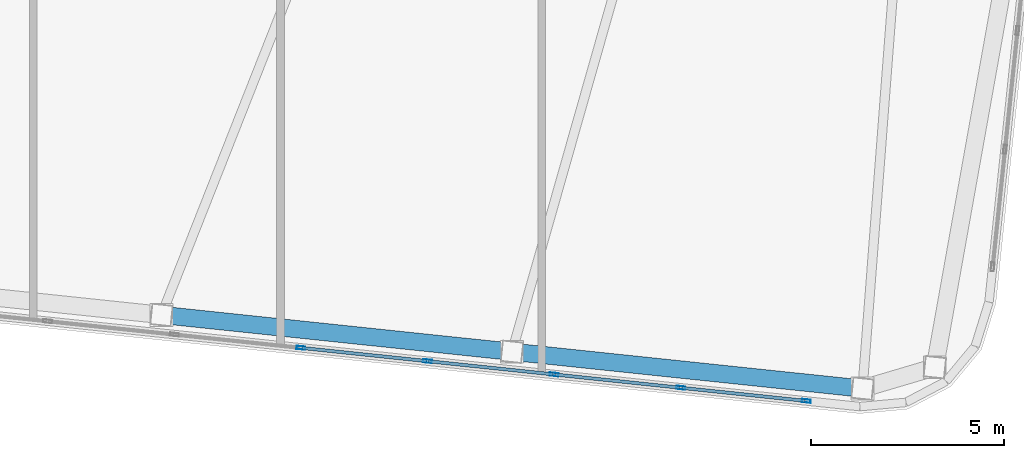
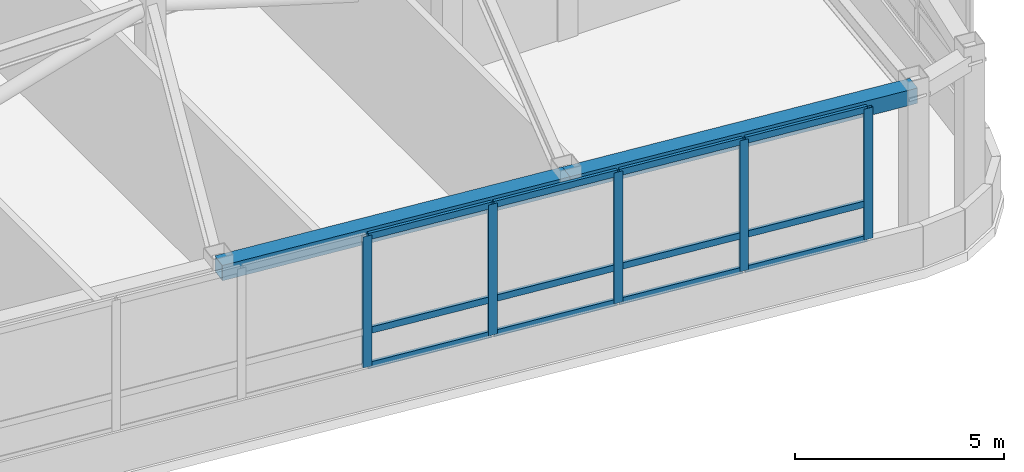
# One storey, part 9 of 23: 17 members, 2 beams, 1 element without a shape of its own.
"""IFC4 building model written with IfcOpenShell, lengths in metres."""

from ifc_helpers import new_model, si_unit, direction, frame, origin, origin_2d, place, context, subcontext, project, spatial, hollow_rectangle, extrude, material, layer, layer_set, material_profile, profile_set, type_object, element, aggregate, save


model = new_model("IFC4")

# Units and contexts
model_context = context("Model", 3, precision=1e-05, world=origin(), true_north=direction((0.0, 1.0)))
body_context = subcontext(model_context, "Body", "Model", "MODEL_VIEW")
ifc_project = project(units=[si_unit("LENGTHUNIT", "METRE"), si_unit("AREAUNIT", "SQUARE_METRE"), si_unit("VOLUMEUNIT", "CUBIC_METRE"), si_unit("PLANEANGLEUNIT", "RADIAN"), si_unit("MASSUNIT", "GRAM", prefix="KILO")], contexts=[model_context])

# Site, building, storey
site_placement = place(None, origin())
site = spatial("IfcSite", under=ifc_project, at=site_placement, CompositionType="ELEMENT")
building_placement = place(site_placement, origin())
building = spatial("IfcBuilding", under=site, at=building_placement, Name="Voryun Gate Residences", CompositionType="ELEMENT")
storey_placement = place(building_placement, frame((0.0, 0.0, 331.89990234375)))
storey = spatial("IfcBuildingStorey", under=building, at=storey_placement, Name="L81", CompositionType="ELEMENT", Elevation=331.89990234375)

# Beams
ifc_material_1 = material(Name="Steel SM355", Category="steel")
ifc_material_profile_1 = material_profile(ifc_material_1, hollow_rectangle(XDim=0.449951171875, YDim=0.449951171875, WallThickness=0.01806640625, at=origin_2d()), Name="BOX-450x450x18")
ifc_profile_set_1 = profile_set([ifc_material_profile_1], Name="Steel SM355")
beam_type = type_object("IfcBeamType", Name="BM_CROWN_RING", PredefinedType="BEAM", material=ifc_profile_set_1)
for number, where, z_axis, x_axis, name in (
    (1, (0.121337890625, -17.731689453125, 4.800048828125), (0.994523919568, -0.104509202498, 0.0), (0.104509202498, 0.994523919568, 0.0), "BM-L81-SPAND-04"),
    (2, (9.19140625, -18.684814453125, 4.800048828125), (0.994521136856, -0.104535679778, 0.0), (0.104535679778, 0.994521136856, 0.0), "BM-L81-SPAND-05"),
):
    element("IfcBeam", number, at=place(storey_placement, frame(where, z_axis=z_axis, x_axis=x_axis)), inside=storey, type_object=beam_type, Name=name, PredefinedType="BEAM", context=body_context, shape_type="SweptSolid", body=[
        extrude(hollow_rectangle(XDim=0.449951171875, YDim=0.449951171875, WallThickness=0.01806640625, at=origin_2d()), origin(), (0.0, 0.0, 1.0), 9.1201171875),
    ])

# Curtain wall, members
ifc_material_2 = material(Name="Anodised aluminium", Category="aluminium")
ifc_layer = layer(ifc_material_2, 0.22998046875, Name="CW_SYS_LANTERN_DARK_GLASS")
ifc_layer_set = layer_set([ifc_layer], Name="Anodised aluminium")
curtain_wall_type = type_object("IfcCurtainWallType", Name="CW_SYS_LANTERN_DARK_GLASS", PredefinedType="NOTDEFINED", material=ifc_layer_set)
curtain_wall_placement = place(storey_placement, origin())
curtain_wall = element("IfcCurtainWall", 3, at=curtain_wall_placement, inside=storey, type_object=curtain_wall_type, Name="Curtain wall CW6-L81-01", PredefinedType="NOTDEFINED")
ifc_material_3 = material(Name="Anodised aluminium", Category="aluminium")
ifc_material_profile_2 = material_profile(ifc_material_3, hollow_rectangle(XDim=0.0849609375, YDim=0.22998046875, WallThickness=0.006103515625, at=origin_2d()), Name="ALU-MULL-230x85x6")
ifc_profile_set_2 = profile_set([ifc_material_profile_2], Name="Anodised aluminium")
member_type_1 = type_object("IfcMemberType", Name="CW_MULL_LANT", PredefinedType="MULLION", material=ifc_profile_set_2)
member_1_placement = place(storey_placement, frame((16.8056640625, -19.957763671875, 1.190185546875), z_axis=(0.0, 0.0, 1.0), x_axis=(-0.10452775858, -0.994521969434, 0.0)))
member_1 = element("IfcMember", 4, at=member_1_placement, type_object=member_type_1, Name="CW6 mullion 1", PredefinedType="MULLION", context=body_context, shape_type="SweptSolid", body=[
    extrude(hollow_rectangle(XDim=0.0849609375, YDim=0.22998046875, WallThickness=0.006103515625, at=origin_2d()), origin(), (0.0, 0.0, 1.0), 3.8349609375),
])
member_2_placement = place(storey_placement, frame((13.558837890625, -19.616455078125, 1.190185546875), z_axis=(0.0, 0.0, 1.0), x_axis=(-0.10452775858, -0.994521969434, 0.0)))
member_2 = element("IfcMember", 5, at=member_2_placement, type_object=member_type_1, Name="CW6 mullion 2", PredefinedType="MULLION", context=body_context, shape_type="SweptSolid", body=[
    extrude(hollow_rectangle(XDim=0.0849609375, YDim=0.22998046875, WallThickness=0.006103515625, at=origin_2d()), origin(), (0.0, 0.0, 1.0), 3.8349609375),
])
member_3_placement = place(storey_placement, frame((10.2822265625, -19.272216796875, 1.190185546875), z_axis=(0.0, 0.0, 1.0), x_axis=(-0.10452775858, -0.994521969434, 0.0)))
member_3 = element("IfcMember", 6, at=member_3_placement, type_object=member_type_1, Name="CW6 mullion 3", PredefinedType="MULLION", context=body_context, shape_type="SweptSolid", body=[
    extrude(hollow_rectangle(XDim=0.0849609375, YDim=0.22998046875, WallThickness=0.006103515625, at=origin_2d()), origin(), (0.0, 0.0, 1.0), 3.8349609375),
])
member_4_placement = place(storey_placement, frame((7.005615234375, -18.927734375, 1.190185546875), z_axis=(0.0, 0.0, 1.0), x_axis=(-0.10452775858, -0.994521969434, 0.0)))
member_4 = element("IfcMember", 7, at=member_4_placement, type_object=member_type_1, Name="CW6 mullion 4", PredefinedType="MULLION", context=body_context, shape_type="SweptSolid", body=[
    extrude(hollow_rectangle(XDim=0.0849609375, YDim=0.22998046875, WallThickness=0.006103515625, at=origin_2d()), origin(), (0.0, 0.0, 1.0), 3.8349609375),
])
member_5_placement = place(storey_placement, frame((3.72900390625, -18.583251953125, 1.190185546875), z_axis=(0.0, 0.0, 1.0), x_axis=(-0.10452775858, -0.994521969434, 0.0)))
member_5 = element("IfcMember", 8, at=member_5_placement, type_object=member_type_1, Name="CW6 mullion 5", PredefinedType="MULLION", context=body_context, shape_type="SweptSolid", body=[
    extrude(hollow_rectangle(XDim=0.0849609375, YDim=0.22998046875, WallThickness=0.006103515625, at=origin_2d()), origin(), (0.0, 0.0, 1.0), 3.8349609375),
])
ifc_material_4 = material(Name="Anodised aluminium", Category="aluminium")
ifc_material_profile_3 = material_profile(ifc_material_4, hollow_rectangle(XDim=0.0849609375, YDim=0.18994140625, WallThickness=0.006103515625, at=origin_2d()), Name="ALU-TRAN-190x85x6")
ifc_profile_set_3 = profile_set([ifc_material_profile_3], Name="Anodised aluminium")
member_type_2 = type_object("IfcMemberType", Name="CW_TRAN_LANT", PredefinedType="USERDEFINED", material=ifc_profile_set_3)
member_6_placement = place(storey_placement, frame((16.775634765625, -19.95458984375, 1.22021484375), z_axis=(-0.994522138405, 0.104526150903, 0.0), x_axis=(-0.104526150903, -0.994522138405, 0.0)))
member_6 = element("IfcMember", 9, at=member_6_placement, type_object=member_type_2, Name="CW6 transom 1.1", ObjectType="TRANSOM", PredefinedType="USERDEFINED", context=body_context, shape_type="SweptSolid", body=[
    extrude(hollow_rectangle(XDim=0.0849609375, YDim=0.18994140625, WallThickness=0.006103515625, at=origin_2d()), origin(), (0.0, 0.0, 1.0), 3.20458984375),
])
member_7_placement = place(storey_placement, frame((16.775634765625, -19.95458984375, 2.239990234375), z_axis=(-0.994522138405, 0.104526150903, 0.0), x_axis=(-0.104526150903, -0.994522138405, 0.0)))
member_7 = element("IfcMember", 10, at=member_7_placement, type_object=member_type_2, Name="CW6 transom 1.2", ObjectType="TRANSOM", PredefinedType="USERDEFINED", context=body_context, shape_type="SweptSolid", body=[
    extrude(hollow_rectangle(XDim=0.0849609375, YDim=0.18994140625, WallThickness=0.006103515625, at=origin_2d()), origin(), (0.0, 0.0, 1.0), 3.20458984375),
])
member_8_placement = place(storey_placement, frame((16.775634765625, -19.95458984375, 4.9951171875), z_axis=(-0.994522138405, 0.104526150903, 0.0), x_axis=(-0.104526150903, -0.994522138405, 0.0)))
member_8 = element("IfcMember", 11, at=member_8_placement, type_object=member_type_2, Name="CW6 transom 1.3", ObjectType="TRANSOM", PredefinedType="USERDEFINED", context=body_context, shape_type="SweptSolid", body=[
    extrude(hollow_rectangle(XDim=0.0849609375, YDim=0.18994140625, WallThickness=0.006103515625, at=origin_2d()), origin(), (0.0, 0.0, 1.0), 3.20458984375),
])
member_9_placement = place(storey_placement, frame((13.529052734375, -19.61328125, 1.22021484375), z_axis=(-0.994521569819, 0.104531560613, 0.0), x_axis=(-0.104531560613, -0.994521569819, 0.0)))
member_9 = element("IfcMember", 12, at=member_9_placement, type_object=member_type_2, Name="CW6 transom 2.1", ObjectType="TRANSOM", PredefinedType="USERDEFINED", context=body_context, shape_type="SweptSolid", body=[
    extrude(hollow_rectangle(XDim=0.0849609375, YDim=0.18994140625, WallThickness=0.006103515625, at=origin_2d()), origin(), (0.0, 0.0, 1.0), 3.23486328125),
])
member_10_placement = place(storey_placement, frame((13.529052734375, -19.61328125, 2.239990234375), z_axis=(-0.994521569819, 0.104531560613, 0.0), x_axis=(-0.104531560613, -0.994521569819, 0.0)))
member_10 = element("IfcMember", 13, at=member_10_placement, type_object=member_type_2, Name="CW6 transom 2.2", ObjectType="TRANSOM", PredefinedType="USERDEFINED", context=body_context, shape_type="SweptSolid", body=[
    extrude(hollow_rectangle(XDim=0.0849609375, YDim=0.18994140625, WallThickness=0.006103515625, at=origin_2d()), origin(), (0.0, 0.0, 1.0), 3.23486328125),
])
member_11_placement = place(storey_placement, frame((13.529052734375, -19.61328125, 4.9951171875), z_axis=(-0.994521569819, 0.104531560613, 0.0), x_axis=(-0.104531560613, -0.994521569819, 0.0)))
member_11 = element("IfcMember", 14, at=member_11_placement, type_object=member_type_2, Name="CW6 transom 2.3", ObjectType="TRANSOM", PredefinedType="USERDEFINED", context=body_context, shape_type="SweptSolid", body=[
    extrude(hollow_rectangle(XDim=0.0849609375, YDim=0.18994140625, WallThickness=0.006103515625, at=origin_2d()), origin(), (0.0, 0.0, 1.0), 3.23486328125),
])
member_12_placement = place(storey_placement, frame((10.252197265625, -19.26904296875, 1.22021484375), z_axis=(-0.994520745033, 0.104539407398, 0.0), x_axis=(-0.104539407398, -0.994520745033, 0.0)))
member_12 = element("IfcMember", 15, at=member_12_placement, type_object=member_type_2, Name="CW6 transom 3.1", ObjectType="TRANSOM", PredefinedType="USERDEFINED", context=body_context, shape_type="SweptSolid", body=[
    extrude(hollow_rectangle(XDim=0.0849609375, YDim=0.18994140625, WallThickness=0.006103515625, at=origin_2d()), origin(), (0.0, 0.0, 1.0), 3.234619140625),
])
member_13_placement = place(storey_placement, frame((10.252197265625, -19.26904296875, 2.239990234375), z_axis=(-0.994520745033, 0.104539407398, 0.0), x_axis=(-0.104539407398, -0.994520745033, 0.0)))
member_13 = element("IfcMember", 16, at=member_13_placement, type_object=member_type_2, Name="CW6 transom 3.2", ObjectType="TRANSOM", PredefinedType="USERDEFINED", context=body_context, shape_type="SweptSolid", body=[
    extrude(hollow_rectangle(XDim=0.0849609375, YDim=0.18994140625, WallThickness=0.006103515625, at=origin_2d()), origin(), (0.0, 0.0, 1.0), 3.234619140625),
])
member_14_placement = place(storey_placement, frame((10.252197265625, -19.26904296875, 4.9951171875), z_axis=(-0.994520745033, 0.104539407398, 0.0), x_axis=(-0.104539407398, -0.994520745033, 0.0)))
member_14 = element("IfcMember", 17, at=member_14_placement, type_object=member_type_2, Name="CW6 transom 3.3", ObjectType="TRANSOM", PredefinedType="USERDEFINED", context=body_context, shape_type="SweptSolid", body=[
    extrude(hollow_rectangle(XDim=0.0849609375, YDim=0.18994140625, WallThickness=0.006103515625, at=origin_2d()), origin(), (0.0, 0.0, 1.0), 3.234619140625),
])
member_15_placement = place(storey_placement, frame((6.9755859375, -18.924560546875, 1.22021484375), z_axis=(-0.994520745033, 0.104539407398, 0.0), x_axis=(-0.104539407398, -0.994520745033, 0.0)))
member_15 = element("IfcMember", 18, at=member_15_placement, type_object=member_type_2, Name="CW6 transom 4.1", ObjectType="TRANSOM", PredefinedType="USERDEFINED", context=body_context, shape_type="SweptSolid", body=[
    extrude(hollow_rectangle(XDim=0.0849609375, YDim=0.18994140625, WallThickness=0.006103515625, at=origin_2d()), origin(), (0.0, 0.0, 1.0), 3.234619140625),
])
member_16_placement = place(storey_placement, frame((6.9755859375, -18.924560546875, 2.239990234375), z_axis=(-0.994520745033, 0.104539407398, 0.0), x_axis=(-0.104539407398, -0.994520745033, 0.0)))
member_16 = element("IfcMember", 19, at=member_16_placement, type_object=member_type_2, Name="CW6 transom 4.2", ObjectType="TRANSOM", PredefinedType="USERDEFINED", context=body_context, shape_type="SweptSolid", body=[
    extrude(hollow_rectangle(XDim=0.0849609375, YDim=0.18994140625, WallThickness=0.006103515625, at=origin_2d()), origin(), (0.0, 0.0, 1.0), 3.234619140625),
])
member_17_placement = place(storey_placement, frame((6.9755859375, -18.924560546875, 4.9951171875), z_axis=(-0.994520745033, 0.104539407398, 0.0), x_axis=(-0.104539407398, -0.994520745033, 0.0)))
member_17 = element("IfcMember", 20, at=member_17_placement, type_object=member_type_2, Name="CW6 transom 4.3", ObjectType="TRANSOM", PredefinedType="USERDEFINED", context=body_context, shape_type="SweptSolid", body=[
    extrude(hollow_rectangle(XDim=0.0849609375, YDim=0.18994140625, WallThickness=0.006103515625, at=origin_2d()), origin(), (0.0, 0.0, 1.0), 3.234619140625),
])
aggregate(curtain_wall, [member_1, member_2, member_3, member_4, member_5, member_6, member_7, member_8, member_9, member_10, member_11, member_12, member_13, member_14, member_15, member_16, member_17])

save(model, "model.ifc")
